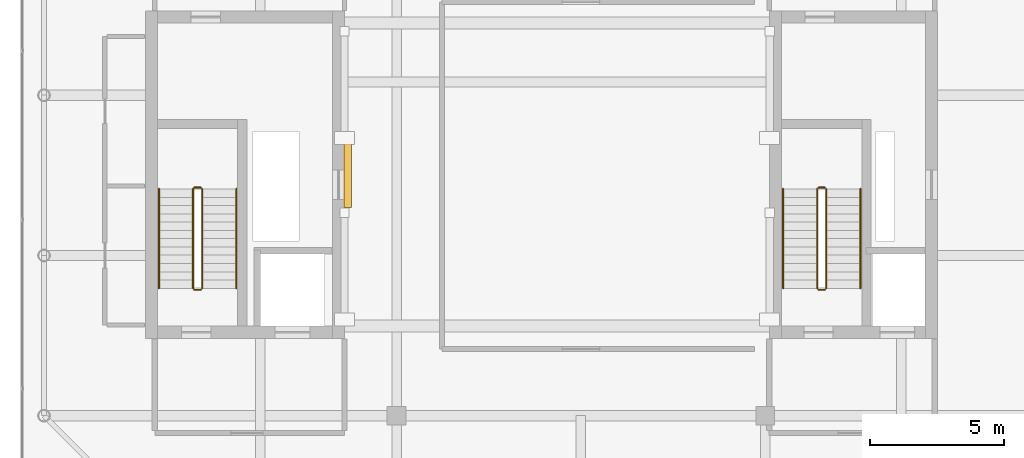
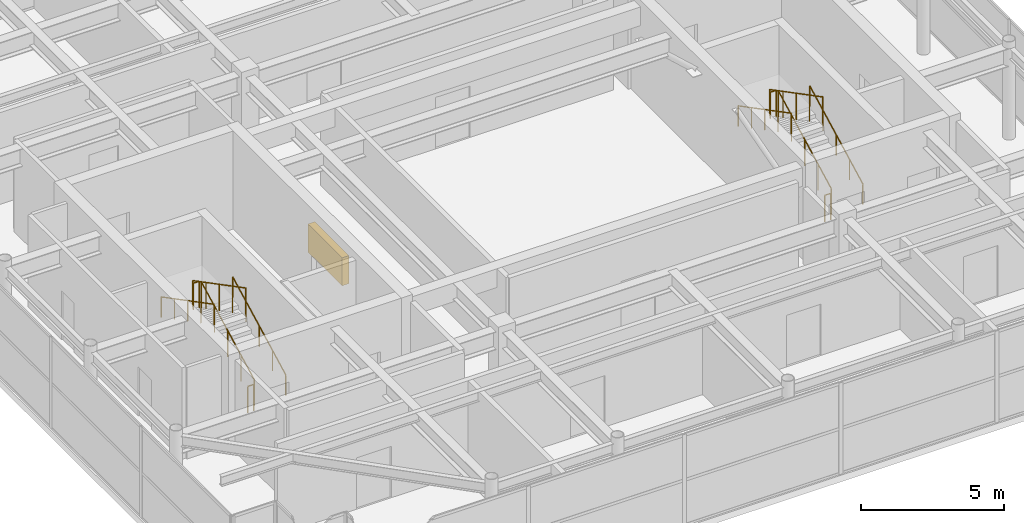
# One storey, part 32 of 32: 12 railings, 1 shading device.
"""IFC4 building model written with IfcOpenShell, lengths in metres."""

from ifc_helpers import new_model, si_unit, direction, frame, origin, origin_2d, place, context, subcontext, project, spatial, rectangle, circle, extrude, source, transform, mapped, material, layer, layer_set, type_object, element, save


model = new_model("IFC4")

# Units and contexts
model_context = context("Model", 3, precision=1e-05, world=origin(), true_north=direction((0.0, 1.0)))
body_context = subcontext(model_context, "Body", "Model", "MODEL_VIEW")
ifc_project = project(units=[si_unit("LENGTHUNIT", "METRE"), si_unit("AREAUNIT", "SQUARE_METRE"), si_unit("VOLUMEUNIT", "CUBIC_METRE"), si_unit("PLANEANGLEUNIT", "RADIAN"), si_unit("MASSUNIT", "GRAM", prefix="KILO")], contexts=[model_context])

# Site, building, storey
site_placement = place(None, origin())
site = spatial("IfcSite", under=ifc_project, at=site_placement, CompositionType="ELEMENT")
building_placement = place(site_placement, origin())
building = spatial("IfcBuilding", under=site, at=building_placement, Name="Khoralis Quay Care Tower", CompositionType="ELEMENT")
storey_placement = place(building_placement, frame((0.0, 0.0, 310.5)))
storey = spatial("IfcBuildingStorey", under=building, at=storey_placement, Name="L81", CompositionType="ELEMENT", Elevation=310.5)

# Railings
ifc_material_1 = material(Name="Brushed stainless steel", Category="steel")
railing_type_1 = type_object("IfcRailingType", Name="RL-GUARD-1150", PredefinedType="GUARDRAIL", material=ifc_material_1)
railing_1_placement = place(storey_placement, frame((9.820068359375, 16.77001953125, 0.16162109375)))
element("IfcRailing", 1, at=railing_1_placement, inside=storey, type_object=railing_type_1, Name="L81 ST-T1 stair guard 1", PredefinedType="GUARDRAIL", context=body_context, shape_type="SweptSolid", body=[
    extrude(circle(Radius=0.02392578125, at=origin_2d()), frame((0.0, 0.0, 1.1259765625), z_axis=(0.0, 0.886817194535, 0.462120399331), x_axis=(-1.0, 0.0, 0.0)), (0.0, 0.0, 1.0), 4.19482421875),
    extrude(circle(Radius=0.02099609375, at=origin_2d()), origin(), (0.0, 0.0, 1.0), 1.101806640625),
    extrude(circle(Radius=0.02099609375, at=origin_2d()), frame((0.0, 0.929931640625, 0.484619140625)), (0.0, 0.0, 1.0), 1.101806640625),
    extrude(circle(Radius=0.02099609375, at=origin_2d()), frame((0.0, 1.85986328125, 0.96923828125)), (0.0, 0.0, 1.0), 1.101806640625),
    extrude(circle(Radius=0.02099609375, at=origin_2d()), frame((0.0, 2.7900390625, 1.453857421875)), (0.0, 0.0, 1.0), 1.101806640625),
    extrude(circle(Radius=0.02099609375, at=origin_2d()), frame((0.0, 3.719970703125, 1.9384765625)), (0.0, 0.0, 1.0), 1.101806640625),
])
railing_2_placement = place(storey_placement, frame((9.77001953125, 20.5400390625, 2.10009765625)))
element("IfcRailing", 2, at=railing_2_placement, inside=storey, type_object=railing_type_1, Name="L81 ST-T1 stair guard 2", PredefinedType="GUARDRAIL", context=body_context, shape_type="SweptSolid", body=[
    extrude(circle(Radius=0.02392578125, at=origin_2d()), frame((0.0, 0.0, 1.1259765625), z_axis=(-1.0, 0.0, 0.0), x_axis=(0.0, -1.0, 0.0)), (0.0, 0.0, 1.0), 0.239990234375),
    extrude(circle(Radius=0.02099609375, at=origin_2d()), origin(), (0.0, 0.0, 1.0), 1.101806640625),
    extrude(circle(Radius=0.02099609375, at=origin_2d()), frame((-0.239990234375, 0.0, 0.0)), (0.0, 0.0, 1.0), 1.101806640625),
])
railing_3_placement = place(storey_placement, frame((9.47998046875, 20.489990234375, 2.261474609375)))
element("IfcRailing", 3, at=railing_3_placement, inside=storey, type_object=railing_type_1, Name="L81 ST-T1 stair guard 3", PredefinedType="GUARDRAIL", context=body_context, shape_type="SweptSolid", body=[
    extrude(circle(Radius=0.02392578125, at=origin_2d()), frame((0.0, 0.0, 1.1259765625), z_axis=(0.0, -0.886817194535, 0.462120399331), x_axis=(1.0, 0.0, 0.0)), (0.0, 0.0, 1.0), 4.19482421875),
    extrude(circle(Radius=0.02099609375, at=origin_2d()), origin(), (0.0, 0.0, 1.0), 1.101806640625),
    extrude(circle(Radius=0.02099609375, at=origin_2d()), frame((0.0, -0.929931640625, 0.484619140625)), (0.0, 0.0, 1.0), 1.101806640625),
    extrude(circle(Radius=0.02099609375, at=origin_2d()), frame((0.0, -1.85986328125, 0.96923828125)), (0.0, 0.0, 1.0), 1.101806640625),
    extrude(circle(Radius=0.02099609375, at=origin_2d()), frame((0.0, -2.7900390625, 1.453857421875)), (0.0, 0.0, 1.0), 1.101806640625),
    extrude(circle(Radius=0.02099609375, at=origin_2d()), frame((0.0, -3.719970703125, 1.9384765625)), (0.0, 0.0, 1.0), 1.101806640625),
])
railing_4_placement = place(storey_placement, frame((9.77001953125, 16.719970703125, 0.0)))
element("IfcRailing", 4, at=railing_4_placement, inside=storey, type_object=railing_type_1, Name="L81 ST-T1 stair guard 4", PredefinedType="GUARDRAIL", context=body_context, shape_type="SweptSolid", body=[
    extrude(circle(Radius=0.02392578125, at=origin_2d()), frame((0.0, 0.0, 1.1259765625), z_axis=(-1.0, 0.0, 0.0), x_axis=(0.0, -1.0, 0.0)), (0.0, 0.0, 1.0), 0.239990234375),
    extrude(circle(Radius=0.02099609375, at=origin_2d()), origin(), (0.0, 0.0, 1.0), 1.101806640625),
    extrude(circle(Radius=0.02099609375, at=origin_2d()), frame((-0.239990234375, 0.0, 0.0)), (0.0, 0.0, 1.0), 1.101806640625),
])
railing_5_placement = place(storey_placement, frame((33.18994140625, 16.77001953125, 0.16162109375)))
element("IfcRailing", 5, at=railing_5_placement, inside=storey, type_object=railing_type_1, Name="L81 ST-T2 stair guard 1", PredefinedType="GUARDRAIL", context=body_context, shape_type="SweptSolid", body=[
    extrude(circle(Radius=0.02392578125, at=origin_2d()), frame((0.0, 0.0, 1.1259765625), z_axis=(0.0, 0.886817194535, 0.462120399331), x_axis=(-1.0, 0.0, 0.0)), (0.0, 0.0, 1.0), 4.19482421875),
    extrude(circle(Radius=0.02099609375, at=origin_2d()), origin(), (0.0, 0.0, 1.0), 1.101806640625),
    extrude(circle(Radius=0.02099609375, at=origin_2d()), frame((0.0, 0.929931640625, 0.484619140625)), (0.0, 0.0, 1.0), 1.101806640625),
    extrude(circle(Radius=0.02099609375, at=origin_2d()), frame((0.0, 1.85986328125, 0.96923828125)), (0.0, 0.0, 1.0), 1.101806640625),
    extrude(circle(Radius=0.02099609375, at=origin_2d()), frame((0.0, 2.7900390625, 1.453857421875)), (0.0, 0.0, 1.0), 1.101806640625),
    extrude(circle(Radius=0.02099609375, at=origin_2d()), frame((0.0, 3.719970703125, 1.9384765625)), (0.0, 0.0, 1.0), 1.101806640625),
])
railing_6_placement = place(storey_placement, frame((33.139892578125, 20.5400390625, 2.10009765625)))
element("IfcRailing", 6, at=railing_6_placement, inside=storey, type_object=railing_type_1, Name="L81 ST-T2 stair guard 2", PredefinedType="GUARDRAIL", context=body_context, shape_type="SweptSolid", body=[
    extrude(circle(Radius=0.02392578125, at=origin_2d()), frame((0.0, 0.0, 1.1259765625), z_axis=(-1.0, 0.0, 0.0), x_axis=(0.0, -1.0, 0.0)), (0.0, 0.0, 1.0), 0.239990234375),
    extrude(circle(Radius=0.02099609375, at=origin_2d()), origin(), (0.0, 0.0, 1.0), 1.101806640625),
    extrude(circle(Radius=0.02099609375, at=origin_2d()), frame((-0.239990234375, 0.0, 0.0)), (0.0, 0.0, 1.0), 1.101806640625),
])
railing_7_placement = place(storey_placement, frame((32.85009765625, 20.489990234375, 2.261474609375)))
element("IfcRailing", 7, at=railing_7_placement, inside=storey, type_object=railing_type_1, Name="L81 ST-T2 stair guard 3", PredefinedType="GUARDRAIL", context=body_context, shape_type="SweptSolid", body=[
    extrude(circle(Radius=0.02392578125, at=origin_2d()), frame((0.0, 0.0, 1.1259765625), z_axis=(0.0, -0.886817194535, 0.462120399331), x_axis=(1.0, 0.0, 0.0)), (0.0, 0.0, 1.0), 4.19482421875),
    extrude(circle(Radius=0.02099609375, at=origin_2d()), origin(), (0.0, 0.0, 1.0), 1.101806640625),
    extrude(circle(Radius=0.02099609375, at=origin_2d()), frame((0.0, -0.929931640625, 0.484619140625)), (0.0, 0.0, 1.0), 1.101806640625),
    extrude(circle(Radius=0.02099609375, at=origin_2d()), frame((0.0, -1.85986328125, 0.96923828125)), (0.0, 0.0, 1.0), 1.101806640625),
    extrude(circle(Radius=0.02099609375, at=origin_2d()), frame((0.0, -2.7900390625, 1.453857421875)), (0.0, 0.0, 1.0), 1.101806640625),
    extrude(circle(Radius=0.02099609375, at=origin_2d()), frame((0.0, -3.719970703125, 1.9384765625)), (0.0, 0.0, 1.0), 1.101806640625),
])
railing_8_placement = place(storey_placement, frame((33.139892578125, 16.719970703125, 0.0)))
element("IfcRailing", 8, at=railing_8_placement, inside=storey, type_object=railing_type_1, Name="L81 ST-T2 stair guard 4", PredefinedType="GUARDRAIL", context=body_context, shape_type="SweptSolid", body=[
    extrude(circle(Radius=0.02392578125, at=origin_2d()), frame((0.0, 0.0, 1.1259765625), z_axis=(-1.0, 0.0, 0.0), x_axis=(0.0, -1.0, 0.0)), (0.0, 0.0, 1.0), 0.239990234375),
    extrude(circle(Radius=0.02099609375, at=origin_2d()), origin(), (0.0, 0.0, 1.0), 1.101806640625),
    extrude(circle(Radius=0.02099609375, at=origin_2d()), frame((-0.239990234375, 0.0, 0.0)), (0.0, 0.0, 1.0), 1.101806640625),
])
railing_type_2 = type_object("IfcRailingType", Name="RL-HAND-900", PredefinedType="HANDRAIL", material=ifc_material_1)
railing_9_placement = place(storey_placement, frame((11.10009765625, 16.77001953125, 0.16162109375)))
element("IfcRailing", 9, at=railing_9_placement, inside=storey, type_object=railing_type_2, Name="L81 ST-T1 stair handrail 1", PredefinedType="HANDRAIL", context=body_context, shape_type="SweptSolid", body=[
    extrude(circle(Radius=0.02392578125, at=origin_2d()), frame((0.0, 0.0, 0.8759765625), z_axis=(0.0, 0.886817194535, 0.462120399331), x_axis=(-1.0, 0.0, 0.0)), (0.0, 0.0, 1.0), 4.19482421875),
    extrude(circle(Radius=0.02099609375, at=origin_2d()), origin(), (0.0, 0.0, 1.0), 0.851806640625),
    extrude(circle(Radius=0.02099609375, at=origin_2d()), frame((0.0, 0.929931640625, 0.484619140625)), (0.0, 0.0, 1.0), 0.851806640625),
    extrude(circle(Radius=0.02099609375, at=origin_2d()), frame((0.0, 1.85986328125, 0.96923828125)), (0.0, 0.0, 1.0), 0.851806640625),
    extrude(circle(Radius=0.02099609375, at=origin_2d()), frame((0.0, 2.7900390625, 1.453857421875)), (0.0, 0.0, 1.0), 0.851806640625),
    extrude(circle(Radius=0.02099609375, at=origin_2d()), frame((0.0, 3.719970703125, 1.9384765625)), (0.0, 0.0, 1.0), 0.851806640625),
])
railing_10_placement = place(storey_placement, frame((8.199951171875, 20.489990234375, 2.261474609375)))
element("IfcRailing", 10, at=railing_10_placement, inside=storey, type_object=railing_type_2, Name="L81 ST-T1 stair handrail 2", PredefinedType="HANDRAIL", context=body_context, shape_type="SweptSolid", body=[
    extrude(circle(Radius=0.02392578125, at=origin_2d()), frame((0.0, 0.0, 0.8759765625), z_axis=(0.0, -0.886817194535, 0.462120399331), x_axis=(1.0, 0.0, 0.0)), (0.0, 0.0, 1.0), 4.19482421875),
    extrude(circle(Radius=0.02099609375, at=origin_2d()), origin(), (0.0, 0.0, 1.0), 0.851806640625),
    extrude(circle(Radius=0.02099609375, at=origin_2d()), frame((0.0, -0.929931640625, 0.484619140625)), (0.0, 0.0, 1.0), 0.851806640625),
    extrude(circle(Radius=0.02099609375, at=origin_2d()), frame((0.0, -1.85986328125, 0.96923828125)), (0.0, 0.0, 1.0), 0.851806640625),
    extrude(circle(Radius=0.02099609375, at=origin_2d()), frame((0.0, -2.7900390625, 1.453857421875)), (0.0, 0.0, 1.0), 0.851806640625),
    extrude(circle(Radius=0.02099609375, at=origin_2d()), frame((0.0, -3.719970703125, 1.9384765625)), (0.0, 0.0, 1.0), 0.851806640625),
])
railing_11_placement = place(storey_placement, frame((34.469970703125, 16.77001953125, 0.16162109375)))
element("IfcRailing", 11, at=railing_11_placement, inside=storey, type_object=railing_type_2, Name="L81 ST-T2 stair handrail 1", PredefinedType="HANDRAIL", context=body_context, shape_type="SweptSolid", body=[
    extrude(circle(Radius=0.02392578125, at=origin_2d()), frame((0.0, 0.0, 0.8759765625), z_axis=(0.0, 0.886817194535, 0.462120399331), x_axis=(-1.0, 0.0, 0.0)), (0.0, 0.0, 1.0), 4.19482421875),
    extrude(circle(Radius=0.02099609375, at=origin_2d()), origin(), (0.0, 0.0, 1.0), 0.851806640625),
    extrude(circle(Radius=0.02099609375, at=origin_2d()), frame((0.0, 0.929931640625, 0.484619140625)), (0.0, 0.0, 1.0), 0.851806640625),
    extrude(circle(Radius=0.02099609375, at=origin_2d()), frame((0.0, 1.85986328125, 0.96923828125)), (0.0, 0.0, 1.0), 0.851806640625),
    extrude(circle(Radius=0.02099609375, at=origin_2d()), frame((0.0, 2.7900390625, 1.453857421875)), (0.0, 0.0, 1.0), 0.851806640625),
    extrude(circle(Radius=0.02099609375, at=origin_2d()), frame((0.0, 3.719970703125, 1.9384765625)), (0.0, 0.0, 1.0), 0.851806640625),
])
railing_12_placement = place(storey_placement, frame((31.570068359375, 20.489990234375, 2.261474609375)))
element("IfcRailing", 12, at=railing_12_placement, inside=storey, type_object=railing_type_2, Name="L81 ST-T2 stair handrail 2", PredefinedType="HANDRAIL", context=body_context, shape_type="SweptSolid", body=[
    extrude(circle(Radius=0.02392578125, at=origin_2d()), frame((0.0, 0.0, 0.8759765625), z_axis=(0.0, -0.886817194535, 0.462120399331), x_axis=(1.0, 0.0, 0.0)), (0.0, 0.0, 1.0), 4.19482421875),
    extrude(circle(Radius=0.02099609375, at=origin_2d()), origin(), (0.0, 0.0, 1.0), 0.851806640625),
    extrude(circle(Radius=0.02099609375, at=origin_2d()), frame((0.0, -0.929931640625, 0.484619140625)), (0.0, 0.0, 1.0), 0.851806640625),
    extrude(circle(Radius=0.02099609375, at=origin_2d()), frame((0.0, -1.85986328125, 0.96923828125)), (0.0, 0.0, 1.0), 0.851806640625),
    extrude(circle(Radius=0.02099609375, at=origin_2d()), frame((0.0, -2.7900390625, 1.453857421875)), (0.0, 0.0, 1.0), 0.851806640625),
    extrude(circle(Radius=0.02099609375, at=origin_2d()), frame((0.0, -3.719970703125, 1.9384765625)), (0.0, 0.0, 1.0), 0.851806640625),
])

# Shading device
ifc_material_2 = material(Name="Brushed pale anodised aluminium", Category="aluminium")
ifc_layer = layer(ifc_material_2, 0.080078125)
ifc_layer_set = layer_set([ifc_layer], Name="Brushed pale anodised aluminium")
shading_device_type = type_object("IfcShadingDeviceType", Name="SHD-LOUVRE-300", PredefinedType="USERDEFINED", material=ifc_layer_set)
shared_shape = source(origin(), body_context, "Body", "SweptSolid", [
    extrude(rectangle(XDim=0.280029296875, YDim=2.39990234375, at=origin_2d()), origin(), (0.0, 0.0, 1.0), 1.199951171875),
])
shading_device_placement = place(storey_placement, frame((15.27001953125, 21.0, 1.60009765625), z_axis=(0.0, 0.0, 1.0), x_axis=(1.0, 0.0, 0.0)))
element("IfcShadingDevice", 13, at=shading_device_placement, inside=storey, type_object=shading_device_type, Name="L81 Lantern Acoustic Intake Louvre", ObjectType="LOUVRE", PredefinedType="USERDEFINED", context=body_context, shape_type="MappedRepresentation", body=[
    mapped(shared_shape, transform((0.0, 0.0, 0.0), scale=1.0)),
])

save(model, "model.ifc")
